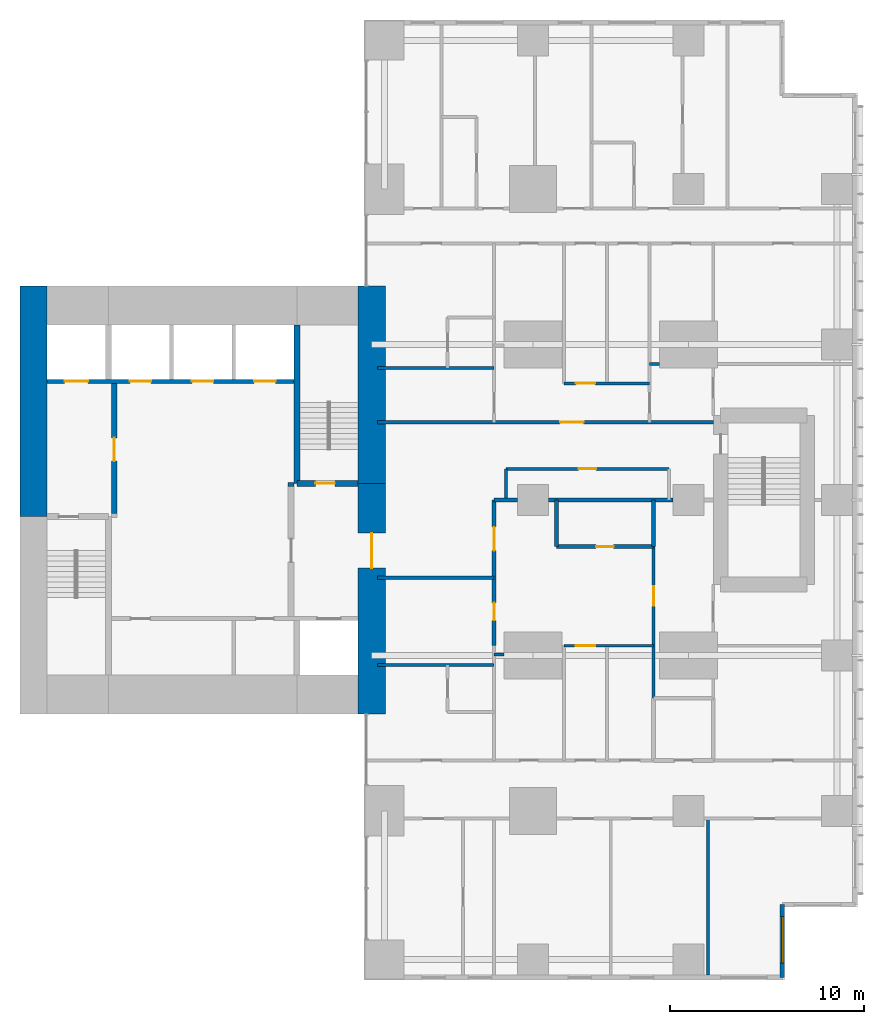
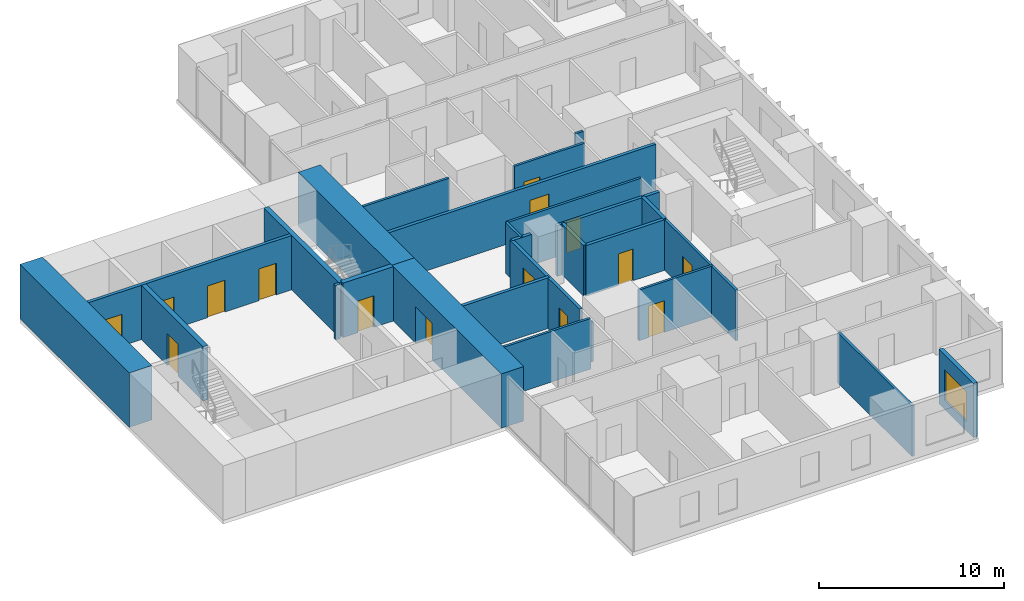
# One storey, part 8 of 12: 27 walls, 15 doors, 1 window, 16 openings.
"""IFC4 building model written with IfcOpenShell, lengths in metres."""

from ifc_helpers import new_model, si_unit, direction, frame, frame_2d, origin, place, context, subcontext, project, spatial, rectangle, extrude, material, layer, layer_set, type_object, element, fill, save


model = new_model("IFC4")

# Units and contexts
model_context = context("Model", 3, precision=1e-05, world=origin(), true_north=direction((0.0, 1.0)))
body_context = subcontext(model_context, "Body", "Model", "MODEL_VIEW")
ifc_project = project(units=[si_unit("LENGTHUNIT", "METRE"), si_unit("AREAUNIT", "SQUARE_METRE"), si_unit("VOLUMEUNIT", "CUBIC_METRE"), si_unit("PLANEANGLEUNIT", "RADIAN"), si_unit("MASSUNIT", "GRAM", prefix="KILO")], contexts=[model_context])

# Site, building, storey
site_placement = place(None, origin())
site = spatial("IfcSite", under=ifc_project, at=site_placement, CompositionType="ELEMENT")
building_placement = place(site_placement, origin())
building = spatial("IfcBuilding", under=site, at=building_placement, Name="Cleftline Residences", CompositionType="ELEMENT")
storey_placement = place(building_placement, frame((0.0, 0.0, 262.800048828125)))
storey = spatial("IfcBuildingStorey", under=building, at=storey_placement, Name="L69", CompositionType="ELEMENT", Elevation=262.800048828125)

# Wall
ifc_material_1 = material(Name="Concrete B70", Category="concrete")
ifc_layer_1 = layer(ifc_material_1, 1.39990234375)
ifc_layer_set_1 = layer_set([ifc_layer_1], Name="CORE WALL 1400")
wall_type_1 = type_object("IfcWallType", Name="CORE WALL 1400", PredefinedType="SHEAR", material=ifc_layer_set_1)
wall_1_placement = place(storey_placement, frame((24.300048828125, 23.14990234375, 0.0), z_axis=(0.0, 0.0, 1.0), x_axis=(0.0, 1.0, 0.0)))
element("IfcWall", 1, at=wall_1_placement, inside=storey, type_object=wall_type_1, Name="Core wall W", PredefinedType="SHEAR", context=body_context, shape_type="SweptSolid", body=[
    extrude(rectangle(XDim=11.85009765625, YDim=1.39990234375, at=frame_2d((5.925048828125, 0.0))), origin(), (0.0, 0.0, 1.0), 3.599853515625),
])

# Wall, opening, door
wall_2_placement = place(storey_placement, frame((41.699951171875, 13.0, 0.0), z_axis=(0.0, 0.0, 1.0), x_axis=(0.0, 1.0, 0.0)))
wall_2 = element("IfcWall", 2, at=wall_2_placement, inside=storey, type_object=wall_type_1, Name="Core wall E", PredefinedType="SHEAR", context=body_context, shape_type="SweptSolid", body=[
    extrude(rectangle(XDim=11.85009765625, YDim=1.39990234375, at=frame_2d((5.925048828125, 0.0))), origin(), (0.0, 0.0, 1.0), 3.599853515625),
])
opening_1_placement = place(wall_2_placement, frame((7.5, 0.0, 0.0)))
opening_1 = element("IfcOpeningElement", 3, at=opening_1_placement, cuts=wall_2, Name="Opening D7", PredefinedType="OPENING", context=body_context, shape_type="SweptSolid", body=[
    extrude(rectangle(XDim=1.800048828125, YDim=2.39990234375, at=frame_2d((0.89990234375, 1.199951171875))), frame((0.0, 0.7099609375, 0.0), z_axis=(0.0, -1.0, 0.0), x_axis=(1.0, 0.0, 0.0)), (0.0, 0.0, 1.0), 1.419921875),
])
ifc_material_2 = material(Name="Steel", Category="steel")
door_type_1 = type_object("IfcDoorType", Name="WING DOOR 1800X2400", OperationType="DOUBLE_DOOR_DOUBLE_SWING", PredefinedType="DOOR", material=ifc_material_2)
door_1_placement = place(opening_1_placement, origin())
door_1 = element("IfcDoor", 4, at=door_1_placement, inside=storey, type_object=door_type_1, Name="East wing door", OperationType="DOUBLE_DOOR_DOUBLE_SWING", OverallHeight=2.39990234375, OverallWidth=1.800048828125, PredefinedType="DOOR", context=body_context, shape_type="SweptSolid", body=[
    extrude(rectangle(XDim=1.800048828125, YDim=2.39990234375, at=frame_2d((0.89990234375, 1.199951171875))), frame((0.0, 0.02490234375, 0.0), z_axis=(0.0, -1.0, 0.0), x_axis=(1.0, 0.0, 0.0)), (0.0, 0.0, 1.0), 0.050048828125),
])
fill(opening_1, door_1)

# Walls
wall_3_placement = place(storey_placement, frame((41.699951171875, 24.85009765625, 0.0), z_axis=(0.0, 0.0, 1.0), x_axis=(0.0, 1.0, 0.0)))
element("IfcWall", 5, at=wall_3_placement, inside=storey, type_object=wall_type_1, Name="Core wall E1", PredefinedType="SHEAR", context=body_context, shape_type="SweptSolid", body=[
    extrude(rectangle(XDim=10.14990234375, YDim=1.39990234375, at=frame_2d((5.074951171875, 0.0))), origin(), (0.0, 0.0, 1.0), 3.599853515625),
])
ifc_material_3 = material(Name="Concrete B70", Category="concrete")
ifc_layer_2 = layer(ifc_material_3, 0.300048828125)
ifc_layer_set_2 = layer_set([ifc_layer_2], Name="CORE WALL 300")
wall_type_2 = type_object("IfcWallType", Name="CORE WALL 300", PredefinedType="SHEAR", material=ifc_layer_set_2)
wall_4_placement = place(storey_placement, frame((37.85009765625, 24.85009765625, 0.0), z_axis=(0.0, 0.0, 1.0), x_axis=(0.0, 1.0, 0.0)))
element("IfcWall", 6, at=wall_4_placement, inside=storey, type_object=wall_type_2, Name="Core wall SB-W", PredefinedType="SHEAR", context=body_context, shape_type="SweptSolid", body=[
    extrude(rectangle(XDim=8.14990234375, YDim=0.300048828125, at=frame_2d((4.074951171875, 0.0))), origin(), (0.0, 0.0, 1.0), 3.599853515625),
])

# Wall, opening, door
wall_5_placement = place(storey_placement, frame((37.85009765625, 24.85009765625, 0.0), z_axis=(0.0, 0.0, 1.0), x_axis=(1.0, 0.0, 0.0)))
wall_5 = element("IfcWall", 7, at=wall_5_placement, inside=storey, type_object=wall_type_2, Name="Core wall SB-S", PredefinedType="SHEAR", context=body_context, shape_type="SweptSolid", body=[
    extrude(rectangle(XDim=3.14990234375, YDim=0.300048828125, at=frame_2d((1.574951171875, 0.0))), origin(), (0.0, 0.0, 1.0), 3.599853515625),
])
opening_2_placement = place(wall_5_placement, frame((0.949951171875, 0.0, 0.0)))
opening_2 = element("IfcOpeningElement", 8, at=opening_2_placement, cuts=wall_5, Name="Opening D5", PredefinedType="OPENING", context=body_context, shape_type="SweptSolid", body=[
    extrude(rectangle(XDim=1.0, YDim=2.10009765625, at=frame_2d((0.5, 1.050048828125))), frame((0.0, 0.159912109375, 0.0), z_axis=(0.0, -1.0, 0.0), x_axis=(1.0, 0.0, 0.0)), (0.0, 0.0, 1.0), 0.320068359375),
])
ifc_material_4 = material(Name="Steel", Category="steel")
door_type_2 = type_object("IfcDoorType", Name="STAIR DOOR 1000X2100", OperationType="SINGLE_SWING_LEFT", PredefinedType="DOOR", material=ifc_material_4)
door_2_placement = place(opening_2_placement, origin())
door_2 = element("IfcDoor", 9, at=door_2_placement, inside=storey, type_object=door_type_2, Name="Stair B door", OperationType="SINGLE_SWING_RIGHT", OverallHeight=2.10009765625, OverallWidth=1.0, PredefinedType="DOOR", context=body_context, shape_type="SweptSolid", body=[
    extrude(rectangle(XDim=1.0, YDim=2.10009765625, at=frame_2d((0.5, 1.050048828125))), frame((0.0, 0.02490234375, 0.0), z_axis=(0.0, -1.0, 0.0), x_axis=(1.0, 0.0, 0.0)), (0.0, 0.0, 1.0), 0.050048828125),
])
fill(opening_2, door_2)

# Wall, opening, window
ifc_material_5 = material(Name="Rendered reinforced concrete blockwork", Category="masonry")
ifc_layer_3 = layer(ifc_material_5, 0.25)
ifc_layer_set_3 = layer_set([ifc_layer_3], Name="EXTERNAL WALL 250")
wall_type_3 = type_object("IfcWallType", Name="EXTERNAL WALL 250", PredefinedType="SOLIDWALL", material=ifc_layer_set_3)
wall_6_placement = place(storey_placement, frame((62.824951171875, -0.574951171875, 0.0), z_axis=(0.0, 0.0, 1.0), x_axis=(0.0, 1.0, 0.0)))
wall_6 = element("IfcWall", 10, at=wall_6_placement, inside=storey, type_object=wall_type_3, Name="External wall", PredefinedType="SOLIDWALL", context=body_context, shape_type="SweptSolid", body=[
    extrude(rectangle(XDim=3.75, YDim=0.25, at=frame_2d((1.875, 0.0))), origin(), (0.0, 0.0, 1.0), 3.599853515625),
])
opening_3_placement = place(wall_6_placement, frame((0.737548828125, 0.0, 0.60009765625)))
opening_3 = element("IfcOpeningElement", 11, at=opening_3_placement, cuts=wall_6, Name="Opening W6", PredefinedType="OPENING", context=body_context, shape_type="SweptSolid", body=[
    extrude(rectangle(XDim=2.39990234375, YDim=2.0, at=frame_2d((1.199951171875, 1.0))), frame((0.0, 0.135009765625, 0.0), z_axis=(0.0, -1.0, 0.0), x_axis=(1.0, 0.0, 0.0)), (0.0, 0.0, 1.0), 0.27001953125),
])
ifc_material_6 = material(Name="Aluminium frame, clear double glazing", Category="aluminium")
window_type = type_object("IfcWindowType", Name="WINDOW 2400X2000", PartitioningType="DOUBLE_PANEL_VERTICAL", PredefinedType="WINDOW", material=ifc_material_6)
window_placement = place(opening_3_placement, origin())
window = element("IfcWindow", 12, at=window_placement, inside=storey, type_object=window_type, Name="Window", OverallHeight=2.0, OverallWidth=2.39990234375, PartitioningType="SINGLE_PANEL", PredefinedType="WINDOW", context=body_context, shape_type="SweptSolid", body=[
    extrude(rectangle(XDim=2.39990234375, YDim=2.0, at=frame_2d((1.199951171875, 1.0))), frame((0.0, 0.030029296875, 0.0), z_axis=(0.0, -1.0, 0.0), x_axis=(1.0, 0.0, 0.0)), (0.0, 0.0, 1.0), 0.06005859375),
])
fill(opening_3, window)

# Wall
ifc_material_7 = material(Name="Concrete blockwork, fire rated", Category="masonry")
ifc_layer_4 = layer(ifc_material_7, 0.199951171875)
ifc_layer_set_4 = layer_set([ifc_layer_4], Name="FIRE WALL 200")
wall_type_4 = type_object("IfcWallType", Name="FIRE WALL 200", PredefinedType="PARTITIONING", material=ifc_layer_set_4)
wall_7_placement = place(storey_placement, frame((42.0, 20.0, 0.0), z_axis=(0.0, 0.0, 1.0), x_axis=(1.0, 0.0, 0.0)))
element("IfcWall", 13, at=wall_7_placement, inside=storey, type_object=wall_type_4, Name="Fire separating wall", PredefinedType="PARTITIONING", context=body_context, shape_type="SweptSolid", body=[
    extrude(rectangle(XDim=6.0, YDim=0.199951171875, at=frame_2d((3.0, 0.0))), origin(), (0.0, 0.0, 1.0), 3.349853515625),
])

# Wall, opening, door
wall_8_placement = place(storey_placement, frame((51.199951171875, 21.60009765625, 0.0), z_axis=(0.0, 0.0, 1.0), x_axis=(1.0, 0.0, 0.0)))
wall_8 = element("IfcWall", 14, at=wall_8_placement, inside=storey, type_object=wall_type_4, Name="Fire separating wall", PredefinedType="PARTITIONING", context=body_context, shape_type="SweptSolid", body=[
    extrude(rectangle(XDim=5.0, YDim=0.199951171875, at=frame_2d((2.5, 0.0))), origin(), (0.0, 0.0, 1.0), 3.349853515625),
])
opening_4_placement = place(wall_8_placement, frame((2.050048828125, 0.0, 0.0)))
opening_4 = element("IfcOpeningElement", 15, at=opening_4_placement, cuts=wall_8, Name="Opening D1F30", PredefinedType="OPENING", context=body_context, shape_type="SweptSolid", body=[
    extrude(rectangle(XDim=0.89990234375, YDim=2.10009765625, at=frame_2d((0.449951171875, 1.050048828125))), frame((0.0, 0.10986328125, 0.0), z_axis=(0.0, -1.0, 0.0), x_axis=(1.0, 0.0, 0.0)), (0.0, 0.0, 1.0), 0.219970703125),
])
ifc_material_8 = material(Name="Timber veneer on solid core", Category="wood")
door_type_3 = type_object("IfcDoorType", Name="DOOR 900X2100 EI 30", OperationType="SINGLE_SWING_LEFT", PredefinedType="DOOR", material=ifc_material_8)
door_3_placement = place(opening_4_placement, origin())
door_3 = element("IfcDoor", 16, at=door_3_placement, inside=storey, type_object=door_type_3, Name="Door to cloakroom wc", OperationType="SINGLE_SWING_LEFT", OverallHeight=2.10009765625, OverallWidth=0.89990234375, PredefinedType="DOOR", context=body_context, shape_type="SweptSolid", body=[
    extrude(rectangle(XDim=0.89990234375, YDim=2.10009765625, at=frame_2d((0.449951171875, 1.050048828125))), frame((0.0, 0.02490234375, 0.0), z_axis=(0.0, -1.0, 0.0), x_axis=(1.0, 0.0, 0.0)), (0.0, 0.0, 1.0), 0.050048828125),
])
fill(opening_4, door_3)

# Walls
wall_9_placement = place(storey_placement, frame((48.0, 24.0, 0.0), z_axis=(0.0, 0.0, 1.0), x_axis=(1.0, 0.0, 0.0)))
element("IfcWall", 17, at=wall_9_placement, inside=storey, type_object=wall_type_4, Name="Fire separating wall", PredefinedType="PARTITIONING", context=body_context, shape_type="SweptSolid", body=[
    extrude(rectangle(XDim=1.199951171875, YDim=0.199951171875, at=frame_2d((0.60009765625, 0.0))), origin(), (0.0, 0.0, 1.0), 3.349853515625),
])
wall_10_placement = place(storey_placement, frame((50.800048828125, 24.0, 0.0), z_axis=(0.0, 0.0, 1.0), x_axis=(1.0, 0.0, 0.0)))
element("IfcWall", 18, at=wall_10_placement, inside=storey, type_object=wall_type_4, Name="Fire separating wall", PredefinedType="PARTITIONING", context=body_context, shape_type="SweptSolid", body=[
    extrude(rectangle(XDim=6.39990234375, YDim=0.199951171875, at=frame_2d((3.199951171875, 0.0))), origin(), (0.0, 0.0, 1.0), 3.349853515625),
])

# Wall, opening, door
wall_11_placement = place(storey_placement, frame((42.0, 28.0, 0.0), z_axis=(0.0, 0.0, 1.0), x_axis=(1.0, 0.0, 0.0)))
wall_11 = element("IfcWall", 19, at=wall_11_placement, inside=storey, type_object=wall_type_4, Name="Fire separating wall", PredefinedType="PARTITIONING", context=body_context, shape_type="SweptSolid", body=[
    extrude(rectangle(XDim=17.27490234375, YDim=0.199951171875, at=frame_2d((8.637451171875, 0.0))), origin(), (0.0, 0.0, 1.0), 3.349853515625),
])
opening_5_placement = place(wall_11_placement, frame((9.39990234375, 0.0, 0.0)))
opening_5 = element("IfcOpeningElement", 20, at=opening_5_placement, cuts=wall_11, Name="Opening D4", PredefinedType="OPENING", context=body_context, shape_type="SweptSolid", body=[
    extrude(rectangle(XDim=1.199951171875, YDim=2.39990234375, at=frame_2d((0.60009765625, 1.199951171875))), frame((0.0, 0.10986328125, 0.0), z_axis=(0.0, -1.0, 0.0), x_axis=(1.0, 0.0, 0.0)), (0.0, 0.0, 1.0), 0.219970703125),
])
ifc_material_9 = material(Name="Timber veneer on solid core", Category="wood")
door_type_4 = type_object("IfcDoorType", Name="APARTMENT ENTRANCE DOOR 1200X2400", OperationType="SINGLE_SWING_RIGHT", PredefinedType="DOOR", material=ifc_material_9)
door_4_placement = place(opening_5_placement, origin())
door_4 = element("IfcDoor", 21, at=door_4_placement, inside=storey, type_object=door_type_4, Name="Door to residence entrance (gallery)", OperationType="SINGLE_SWING_LEFT", OverallHeight=2.39990234375, OverallWidth=1.199951171875, PredefinedType="DOOR", context=body_context, shape_type="SweptSolid", body=[
    extrude(rectangle(XDim=1.199951171875, YDim=2.39990234375, at=frame_2d((0.60009765625, 1.199951171875))), frame((0.0, 0.02490234375, 0.0), z_axis=(0.0, -1.0, 0.0), x_axis=(1.0, 0.0, 0.0)), (0.0, 0.0, 1.0), 0.050048828125),
])
fill(opening_5, door_4)

# Wall, openings, doors
wall_12_placement = place(storey_placement, frame((48.0, 16.5, 0.0), z_axis=(0.0, 0.0, 1.0), x_axis=(0.0, 1.0, 0.0)))
wall_12 = element("IfcWall", 22, at=wall_12_placement, inside=storey, type_object=wall_type_4, Name="Fire separating wall", PredefinedType="PARTITIONING", context=body_context, shape_type="SweptSolid", body=[
    extrude(rectangle(XDim=7.5, YDim=0.199951171875, at=frame_2d((3.75, 0.0))), origin(), (0.0, 0.0, 1.0), 3.349853515625),
])
opening_6_placement = place(wall_12_placement, frame((4.89990234375, 0.0, 0.0)))
opening_6 = element("IfcOpeningElement", 23, at=opening_6_placement, cuts=wall_12, Name="Opening D4", PredefinedType="OPENING", context=body_context, shape_type="SweptSolid", body=[
    extrude(rectangle(XDim=1.199951171875, YDim=2.39990234375, at=frame_2d((0.60009765625, 1.199951171875))), frame((0.0, 0.10986328125, 0.0), z_axis=(0.0, -1.0, 0.0), x_axis=(1.0, 0.0, 0.0)), (0.0, 0.0, 1.0), 0.219970703125),
])
opening_7_placement = place(wall_12_placement, frame((1.300048828125, 0.0, 0.0)))
opening_7 = element("IfcOpeningElement", 24, at=opening_7_placement, cuts=wall_12, Name="Opening D1F30", PredefinedType="OPENING", context=body_context, shape_type="SweptSolid", body=[
    extrude(rectangle(XDim=0.89990234375, YDim=2.10009765625, at=frame_2d((0.449951171875, 1.050048828125))), frame((0.0, 0.10986328125, 0.0), z_axis=(0.0, -1.0, 0.0), x_axis=(1.0, 0.0, 0.0)), (0.0, 0.0, 1.0), 0.219970703125),
])
door_5_placement = place(opening_6_placement, origin())
door_5 = element("IfcDoor", 25, at=door_5_placement, inside=storey, type_object=door_type_4, Name="Door to residence entrance foyer", OperationType="SINGLE_SWING_LEFT", OverallHeight=2.39990234375, OverallWidth=1.199951171875, PredefinedType="DOOR", context=body_context, shape_type="SweptSolid", body=[
    extrude(rectangle(XDim=1.199951171875, YDim=2.39990234375, at=frame_2d((0.60009765625, 1.199951171875))), frame((0.0, 0.02490234375, 0.0), z_axis=(0.0, -1.0, 0.0), x_axis=(1.0, 0.0, 0.0)), (0.0, 0.0, 1.0), 0.050048828125),
])
fill(opening_6, door_5)
door_6_placement = place(opening_7_placement, origin())
door_6 = element("IfcDoor", 26, at=door_6_placement, inside=storey, type_object=door_type_3, Name="Door to laundry", OperationType="SINGLE_SWING_RIGHT", OverallHeight=2.10009765625, OverallWidth=0.89990234375, PredefinedType="DOOR", context=body_context, shape_type="SweptSolid", body=[
    extrude(rectangle(XDim=0.89990234375, YDim=2.10009765625, at=frame_2d((0.449951171875, 1.050048828125))), frame((0.0, 0.02490234375, 0.0), z_axis=(0.0, -1.0, 0.0), x_axis=(1.0, 0.0, 0.0)), (0.0, 0.0, 1.0), 0.050048828125),
])
fill(opening_7, door_6)

# Walls
for number, where, z_axis, x_axis, name in (
    (27, (51.199951171875, 21.60009765625, 0.0), (0.0, 0.0, 1.0), (0.0, 1.0, 0.0), "Fire separating wall"),
    (28, (56.199951171875, 21.60009765625, 0.0), (0.0, 0.0, 1.0), (0.0, 1.0, 0.0), "Fire separating wall"),
):
    element("IfcWall", number, at=place(storey_placement, frame(where, z_axis=z_axis, x_axis=x_axis)), inside=storey, type_object=wall_type_4, Name=name, PredefinedType="PARTITIONING", context=body_context, shape_type="SweptSolid", body=[
        extrude(rectangle(XDim=2.39990234375, YDim=0.199951171875, at=frame_2d((1.199951171875, 0.0))), origin(), (0.0, 0.0, 1.0), 3.349853515625),
    ])
wall_13_placement = place(storey_placement, frame((37.39990234375, 24.800048828125, 0.0), z_axis=(0.0, 0.0, 1.0), x_axis=(1.0, 0.0, 0.0)))
element("IfcWall", 29, at=wall_13_placement, inside=storey, type_object=wall_type_4, Name="Fire separating wall", PredefinedType="PARTITIONING", context=body_context, shape_type="SweptSolid", body=[
    extrude(rectangle(XDim=0.300048828125, YDim=0.199951171875, at=frame_2d((0.14990234375, 0.0))), origin(), (0.0, 0.0, 1.0), 3.599853515625),
])
ifc_material_10 = material(Name="Gypsum board on steel studs", Category="steel")
ifc_layer_5 = layer(ifc_material_10, 0.14990234375)
ifc_layer_set_5 = layer_set([ifc_layer_5], Name="PARTITION 150")
wall_type_5 = type_object("IfcWallType", Name="PARTITION 150", PredefinedType="PARTITIONING", material=ifc_layer_set_5)
wall_14_placement = place(storey_placement, frame((42.0, 15.5, 0.0), z_axis=(0.0, 0.0, 1.0), x_axis=(1.0, 0.0, 0.0)))
element("IfcWall", 30, at=wall_14_placement, inside=storey, type_object=wall_type_5, Name="Partition", PredefinedType="PARTITIONING", context=body_context, shape_type="SweptSolid", body=[
    extrude(rectangle(XDim=6.0, YDim=0.14990234375, at=frame_2d((3.0, 0.0))), origin(), (0.0, 0.0, 1.0), 3.349853515625),
])
wall_15_placement = place(storey_placement, frame((48.0, 16.050048828125, 0.0), z_axis=(0.0, 0.0, 1.0), x_axis=(1.0, 0.0, 0.0)))
element("IfcWall", 31, at=wall_15_placement, inside=storey, type_object=wall_type_5, Name="Partition", PredefinedType="PARTITIONING", context=body_context, shape_type="SweptSolid", body=[
    extrude(rectangle(XDim=0.5, YDim=0.14990234375, at=frame_2d((0.25, 0.0))), origin(), (0.0, 0.0, 1.0), 2.634033203125),
])

# Wall, opening, door
wall_16_placement = place(storey_placement, frame((51.60009765625, 16.5, 0.0), z_axis=(0.0, 0.0, 1.0), x_axis=(1.0, 0.0, 0.0)))
wall_16 = element("IfcWall", 32, at=wall_16_placement, inside=storey, type_object=wall_type_5, Name="Partition", PredefinedType="PARTITIONING", context=body_context, shape_type="SweptSolid", body=[
    extrude(rectangle(XDim=4.599853515625, YDim=0.14990234375, at=frame_2d((2.2998046875, 0.0))), origin(), (0.0, 0.0, 1.0), 3.349853515625),
])
opening_8_placement = place(wall_16_placement, frame((0.60009765625, 0.0, 0.0)))
opening_8 = element("IfcOpeningElement", 33, at=opening_8_placement, cuts=wall_16, Name="Opening D2", PredefinedType="OPENING", context=body_context, shape_type="SweptSolid", body=[
    extrude(rectangle(XDim=1.0, YDim=2.10009765625, at=frame_2d((0.5, 1.050048828125))), frame((0.0, 0.0849609375, 0.0), z_axis=(0.0, -1.0, 0.0), x_axis=(1.0, 0.0, 0.0)), (0.0, 0.0, 1.0), 0.169921875),
])
ifc_material_11 = material(Name="Timber veneer on solid core", Category="wood")
door_type_5 = type_object("IfcDoorType", Name="DOOR 1000X2100", OperationType="SINGLE_SWING_LEFT", PredefinedType="DOOR", material=ifc_material_11)
door_7_placement = place(opening_8_placement, origin())
door_7 = element("IfcDoor", 34, at=door_7_placement, inside=storey, type_object=door_type_5, Name="Door to residence passage", OperationType="SINGLE_SWING_RIGHT", OverallHeight=2.10009765625, OverallWidth=1.0, PredefinedType="DOOR", context=body_context, shape_type="SweptSolid", body=[
    extrude(rectangle(XDim=1.0, YDim=2.10009765625, at=frame_2d((0.5, 1.050048828125))), frame((0.0, 0.02490234375, 0.0), z_axis=(0.0, -1.0, 0.0), x_axis=(1.0, 0.0, 0.0)), (0.0, 0.0, 1.0), 0.050048828125),
])
fill(opening_8, door_7)

wall_17_placement = place(storey_placement, frame((48.60009765625, 25.60009765625, 0.0), z_axis=(0.0, 0.0, 1.0), x_axis=(1.0, 0.0, 0.0)))
wall_17 = element("IfcWall", 35, at=wall_17_placement, inside=storey, type_object=wall_type_5, Name="Partition", PredefinedType="PARTITIONING", context=body_context, shape_type="SweptSolid", body=[
    extrude(rectangle(XDim=8.39990234375, YDim=0.14990234375, at=frame_2d((4.199951171875, 0.0))), origin(), (0.0, 0.0, 1.0), 3.349853515625),
])
opening_9_placement = place(wall_17_placement, frame((3.75, 0.0, 0.0)))
opening_9 = element("IfcOpeningElement", 36, at=opening_9_placement, cuts=wall_17, Name="Opening D1", PredefinedType="OPENING", context=body_context, shape_type="SweptSolid", body=[
    extrude(rectangle(XDim=0.89990234375, YDim=2.10009765625, at=frame_2d((0.449951171875, 1.050048828125))), frame((0.0, 0.0849609375, 0.0), z_axis=(0.0, -1.0, 0.0), x_axis=(1.0, 0.0, 0.0)), (0.0, 0.0, 1.0), 0.169921875),
])
ifc_material_12 = material(Name="Timber veneer on solid core", Category="wood")
door_type_6 = type_object("IfcDoorType", Name="DOOR 900X2100", OperationType="SINGLE_SWING_LEFT", PredefinedType="DOOR", material=ifc_material_12)
door_8_placement = place(opening_9_placement, origin())
door_8 = element("IfcDoor", 37, at=door_8_placement, inside=storey, type_object=door_type_6, Name="Door to residents' locker room", OperationType="SINGLE_SWING_LEFT", OverallHeight=2.10009765625, OverallWidth=0.89990234375, PredefinedType="DOOR", context=body_context, shape_type="SweptSolid", body=[
    extrude(rectangle(XDim=0.89990234375, YDim=2.10009765625, at=frame_2d((0.449951171875, 1.050048828125))), frame((0.0, 0.02490234375, 0.0), z_axis=(0.0, -1.0, 0.0), x_axis=(1.0, 0.0, 0.0)), (0.0, 0.0, 1.0), 0.050048828125),
])
fill(opening_9, door_8)

wall_18_placement = place(storey_placement, frame((51.60009765625, 30.0, 0.0), z_axis=(0.0, 0.0, 1.0), x_axis=(1.0, 0.0, 0.0)))
wall_18 = element("IfcWall", 38, at=wall_18_placement, inside=storey, type_object=wall_type_5, Name="Partition", PredefinedType="PARTITIONING", context=body_context, shape_type="SweptSolid", body=[
    extrude(rectangle(XDim=4.39990234375, YDim=0.14990234375, at=frame_2d((2.199951171875, 0.0))), origin(), (0.0, 0.0, 1.0), 3.349853515625),
])
opening_10_placement = place(wall_18_placement, frame((0.60009765625, 0.0, 0.0)))
opening_10 = element("IfcOpeningElement", 39, at=opening_10_placement, cuts=wall_18, Name="Opening D2", PredefinedType="OPENING", context=body_context, shape_type="SweptSolid", body=[
    extrude(rectangle(XDim=1.0, YDim=2.10009765625, at=frame_2d((0.5, 1.050048828125))), frame((0.0, 0.0849609375, 0.0), z_axis=(0.0, -1.0, 0.0), x_axis=(1.0, 0.0, 0.0)), (0.0, 0.0, 1.0), 0.169921875),
])
door_9_placement = place(opening_10_placement, origin())
door_9 = element("IfcDoor", 40, at=door_9_placement, inside=storey, type_object=door_type_5, Name="Door to residence passage", OperationType="SINGLE_SWING_RIGHT", OverallHeight=2.10009765625, OverallWidth=1.0, PredefinedType="DOOR", context=body_context, shape_type="SweptSolid", body=[
    extrude(rectangle(XDim=1.0, YDim=2.10009765625, at=frame_2d((0.5, 1.050048828125))), frame((0.0, 0.02490234375, 0.0), z_axis=(0.0, -1.0, 0.0), x_axis=(1.0, 0.0, 0.0)), (0.0, 0.0, 1.0), 0.050048828125),
])
fill(opening_10, door_9)

# Walls
wall_19_placement = place(storey_placement, frame((42.0, 30.800048828125, 0.0), z_axis=(0.0, 0.0, 1.0), x_axis=(1.0, 0.0, 0.0)))
element("IfcWall", 41, at=wall_19_placement, inside=storey, type_object=wall_type_5, Name="Partition", PredefinedType="PARTITIONING", context=body_context, shape_type="SweptSolid", body=[
    extrude(rectangle(XDim=6.0, YDim=0.14990234375, at=frame_2d((3.0, 0.0))), origin(), (0.0, 0.0, 1.0), 3.349853515625),
])
wall_20_placement = place(storey_placement, frame((56.0, 31.0, 0.0), z_axis=(0.0, 0.0, 1.0), x_axis=(1.0, 0.0, 0.0)))
element("IfcWall", 42, at=wall_20_placement, inside=storey, type_object=wall_type_5, Name="Partition", PredefinedType="PARTITIONING", context=body_context, shape_type="SweptSolid", body=[
    extrude(rectangle(XDim=0.5, YDim=0.14990234375, at=frame_2d((0.25, 0.0))), origin(), (0.0, 0.0, 1.0), 3.349853515625),
])
wall_21_placement = place(storey_placement, frame((48.60009765625, 24.0, 0.0), z_axis=(0.0, 0.0, 1.0), x_axis=(0.0, 1.0, 0.0)))
element("IfcWall", 43, at=wall_21_placement, inside=storey, type_object=wall_type_5, Name="Partition", PredefinedType="PARTITIONING", context=body_context, shape_type="SweptSolid", body=[
    extrude(rectangle(XDim=1.60009765625, YDim=0.14990234375, at=frame_2d((0.800048828125, 0.0))), origin(), (0.0, 0.0, 1.0), 3.349853515625),
])

# Wall, opening, door
wall_22_placement = place(storey_placement, frame((56.199951171875, 13.800048828125, 0.0), z_axis=(0.0, 0.0, 1.0), x_axis=(0.0, 1.0, 0.0)))
wall_22 = element("IfcWall", 44, at=wall_22_placement, inside=storey, type_object=wall_type_5, Name="Partition", PredefinedType="PARTITIONING", context=body_context, shape_type="SweptSolid", body=[
    extrude(rectangle(XDim=7.800048828125, YDim=0.14990234375, at=frame_2d((3.89990234375, 0.0))), origin(), (0.0, 0.0, 1.0), 3.349853515625),
])
opening_11_placement = place(wall_22_placement, frame((4.75, 0.0, 0.0)))
opening_11 = element("IfcOpeningElement", 45, at=opening_11_placement, cuts=wall_22, Name="Opening D2F30", PredefinedType="OPENING", context=body_context, shape_type="SweptSolid", body=[
    extrude(rectangle(XDim=1.0, YDim=2.10009765625, at=frame_2d((0.5, 1.050048828125))), frame((0.0, 0.0849609375, 0.0), z_axis=(0.0, -1.0, 0.0), x_axis=(1.0, 0.0, 0.0)), (0.0, 0.0, 1.0), 0.169921875),
])
ifc_material_13 = material(Name="Timber veneer on solid core", Category="wood")
door_type_7 = type_object("IfcDoorType", Name="DOOR 1000X2100 EI 30", OperationType="SINGLE_SWING_LEFT", PredefinedType="DOOR", material=ifc_material_13)
door_10_placement = place(opening_11_placement, origin())
door_10 = element("IfcDoor", 46, at=door_10_placement, inside=storey, type_object=door_type_7, Name="Door to residence lobby", OperationType="SINGLE_SWING_LEFT", OverallHeight=2.10009765625, OverallWidth=1.0, PredefinedType="DOOR", context=body_context, shape_type="SweptSolid", body=[
    extrude(rectangle(XDim=1.0, YDim=2.10009765625, at=frame_2d((0.5, 1.050048828125))), frame((0.0, 0.02490234375, 0.0), z_axis=(0.0, -1.0, 0.0), x_axis=(1.0, 0.0, 0.0)), (0.0, 0.0, 1.0), 0.050048828125),
])
fill(opening_11, door_10)

# Wall
wall_23_placement = place(storey_placement, frame((59.0, -0.449951171875, 0.0), z_axis=(0.0, 0.0, 1.0), x_axis=(0.0, 1.0, 0.0)))
element("IfcWall", 47, at=wall_23_placement, inside=storey, type_object=wall_type_5, Name="Partition", PredefinedType="PARTITIONING", context=body_context, shape_type="SweptSolid", body=[
    extrude(rectangle(XDim=8.050048828125, YDim=0.14990234375, at=frame_2d((4.02490234375, 0.0))), origin(), (0.0, 0.0, 1.0), 3.349853515625),
])

# Wall, openings, doors
ifc_material_14 = material(Name="Concrete blockwork, fire rated", Category="masonry")
ifc_layer_6 = layer(ifc_material_14, 0.199951171875)
ifc_layer_set_6 = layer_set([ifc_layer_6], Name="SHAFT WALL 200")
wall_type_6 = type_object("IfcWallType", Name="SHAFT WALL 200", PredefinedType="PARTITIONING", material=ifc_layer_set_6)
wall_24_placement = place(storey_placement, frame((25.0, 30.10009765625, 0.0), z_axis=(0.0, 0.0, 1.0), x_axis=(1.0, 0.0, 0.0)))
wall_24 = element("IfcWall", 48, at=wall_24_placement, inside=storey, type_object=wall_type_6, Name="Lift shaft wall", PredefinedType="PARTITIONING", context=body_context, shape_type="SweptSolid", body=[
    extrude(rectangle(XDim=12.699951171875, YDim=0.199951171875, at=frame_2d((6.35009765625, 0.0))), origin(), (0.0, 0.0, 1.0), 3.599853515625),
])
opening_12_placement = place(wall_24_placement, frame((4.25, 0.0, 0.0)))
opening_12 = element("IfcOpeningElement", 49, at=opening_12_placement, cuts=wall_24, Name="Opening LD1", PredefinedType="OPENING", context=body_context, shape_type="SweptSolid", body=[
    extrude(rectangle(XDim=1.10009765625, YDim=2.10009765625, at=frame_2d((0.550048828125, 1.050048828125))), frame((0.0, 0.10986328125, 0.0), z_axis=(0.0, -1.0, 0.0), x_axis=(1.0, 0.0, 0.0)), (0.0, 0.0, 1.0), 0.219970703125),
])
opening_13_placement = place(wall_24_placement, frame((7.449951171875, 0.0, 0.0)))
opening_13 = element("IfcOpeningElement", 50, at=opening_13_placement, cuts=wall_24, Name="Opening LD1", PredefinedType="OPENING", context=body_context, shape_type="SweptSolid", body=[
    extrude(rectangle(XDim=1.10009765625, YDim=2.10009765625, at=frame_2d((0.550048828125, 1.050048828125))), frame((0.0, 0.10986328125, 0.0), z_axis=(0.0, -1.0, 0.0), x_axis=(1.0, 0.0, 0.0)), (0.0, 0.0, 1.0), 0.219970703125),
])
opening_14_placement = place(wall_24_placement, frame((10.64990234375, 0.0, 0.0)))
opening_14 = element("IfcOpeningElement", 51, at=opening_14_placement, cuts=wall_24, Name="Opening LD1", PredefinedType="OPENING", context=body_context, shape_type="SweptSolid", body=[
    extrude(rectangle(XDim=1.10009765625, YDim=2.10009765625, at=frame_2d((0.550048828125, 1.050048828125))), frame((0.0, 0.10986328125, 0.0), z_axis=(0.0, -1.0, 0.0), x_axis=(1.0, 0.0, 0.0)), (0.0, 0.0, 1.0), 0.219970703125),
])
opening_15_placement = place(wall_24_placement, frame((0.89990234375, 0.0, 0.0)))
opening_15 = element("IfcOpeningElement", 52, at=opening_15_placement, cuts=wall_24, Name="Opening LD2", PredefinedType="OPENING", context=body_context, shape_type="SweptSolid", body=[
    extrude(rectangle(XDim=1.199951171875, YDim=2.10009765625, at=frame_2d((0.60009765625, 1.050048828125))), frame((0.0, 0.10986328125, 0.0), z_axis=(0.0, -1.0, 0.0), x_axis=(1.0, 0.0, 0.0)), (0.0, 0.0, 1.0), 0.219970703125),
])
ifc_material_15 = material(Name="Steel", Category="steel")
door_type_8 = type_object("IfcDoorType", Name="FIREFIGHTING LIFT LANDING DOOR 1200X2100", OperationType="SLIDING_TO_LEFT", PredefinedType="DOOR", material=ifc_material_15)
door_11_placement = place(opening_15_placement, origin())
door_11 = element("IfcDoor", 53, at=door_11_placement, inside=storey, type_object=door_type_8, Name="Lift FL1 landing door", OperationType="SLIDING_TO_LEFT", OverallHeight=2.10009765625, OverallWidth=1.199951171875, PredefinedType="DOOR", context=body_context, shape_type="SweptSolid", body=[
    extrude(rectangle(XDim=1.199951171875, YDim=2.10009765625, at=frame_2d((0.60009765625, 1.050048828125))), frame((0.0, 0.02490234375, 0.0), z_axis=(0.0, -1.0, 0.0), x_axis=(1.0, 0.0, 0.0)), (0.0, 0.0, 1.0), 0.050048828125),
])
fill(opening_15, door_11)
ifc_material_16 = material(Name="Steel", Category="steel")
door_type_9 = type_object("IfcDoorType", Name="LIFT LANDING DOOR 1100X2100", OperationType="SLIDING_TO_LEFT", PredefinedType="DOOR", material=ifc_material_16)
door_12_placement = place(opening_12_placement, origin())
door_12 = element("IfcDoor", 54, at=door_12_placement, inside=storey, type_object=door_type_9, Name="Lift P4 landing door", OperationType="SLIDING_TO_LEFT", OverallHeight=2.10009765625, OverallWidth=1.10009765625, PredefinedType="DOOR", context=body_context, shape_type="SweptSolid", body=[
    extrude(rectangle(XDim=1.10009765625, YDim=2.10009765625, at=frame_2d((0.550048828125, 1.050048828125))), frame((0.0, 0.02490234375, 0.0), z_axis=(0.0, -1.0, 0.0), x_axis=(1.0, 0.0, 0.0)), (0.0, 0.0, 1.0), 0.050048828125),
])
fill(opening_12, door_12)
door_13_placement = place(opening_13_placement, origin())
door_13 = element("IfcDoor", 55, at=door_13_placement, inside=storey, type_object=door_type_9, Name="Lift P5 landing door", OperationType="SLIDING_TO_LEFT", OverallHeight=2.10009765625, OverallWidth=1.10009765625, PredefinedType="DOOR", context=body_context, shape_type="SweptSolid", body=[
    extrude(rectangle(XDim=1.10009765625, YDim=2.10009765625, at=frame_2d((0.550048828125, 1.050048828125))), frame((0.0, 0.02490234375, 0.0), z_axis=(0.0, -1.0, 0.0), x_axis=(1.0, 0.0, 0.0)), (0.0, 0.0, 1.0), 0.050048828125),
])
fill(opening_13, door_13)
door_14_placement = place(opening_14_placement, origin())
door_14 = element("IfcDoor", 56, at=door_14_placement, inside=storey, type_object=door_type_9, Name="Lift P6 landing door", OperationType="SLIDING_TO_LEFT", OverallHeight=2.10009765625, OverallWidth=1.10009765625, PredefinedType="DOOR", context=body_context, shape_type="SweptSolid", body=[
    extrude(rectangle(XDim=1.10009765625, YDim=2.10009765625, at=frame_2d((0.550048828125, 1.050048828125))), frame((0.0, 0.02490234375, 0.0), z_axis=(0.0, -1.0, 0.0), x_axis=(1.0, 0.0, 0.0)), (0.0, 0.0, 1.0), 0.050048828125),
])
fill(opening_14, door_14)

# Wall, opening, door
ifc_material_17 = material(Name="Concrete blockwork, fire rated", Category="masonry")
ifc_layer_7 = layer(ifc_material_17, 0.300048828125)
ifc_layer_set_7 = layer_set([ifc_layer_7], Name="STAIR LOBBY WALL 300")
wall_type_7 = type_object("IfcWallType", Name="STAIR LOBBY WALL 300", PredefinedType="PARTITIONING", material=ifc_layer_set_7)
wall_25_placement = place(storey_placement, frame((28.449951171875, 23.300048828125, 0.0), z_axis=(0.0, 0.0, 1.0), x_axis=(0.0, 1.0, 0.0)))
wall_25 = element("IfcWall", 57, at=wall_25_placement, inside=storey, type_object=wall_type_7, Name="Stair and lobby wall FA-E", PredefinedType="PARTITIONING", context=body_context, shape_type="SweptSolid", body=[
    extrude(rectangle(XDim=6.699951171875, YDim=0.300048828125, at=frame_2d((3.35009765625, 0.0))), origin(), (0.0, 0.0, 1.0), 3.599853515625),
])
opening_16_placement = place(wall_25_placement, frame((2.699951171875, 0.0, 0.0)))
opening_16 = element("IfcOpeningElement", 58, at=opening_16_placement, cuts=wall_25, Name="Opening D6", PredefinedType="OPENING", context=body_context, shape_type="SweptSolid", body=[
    extrude(rectangle(XDim=1.199951171875, YDim=2.10009765625, at=frame_2d((0.60009765625, 1.050048828125))), frame((0.0, 0.159912109375, 0.0), z_axis=(0.0, -1.0, 0.0), x_axis=(1.0, 0.0, 0.0)), (0.0, 0.0, 1.0), 0.320068359375),
])
ifc_material_18 = material(Name="Steel", Category="steel")
door_type_10 = type_object("IfcDoorType", Name="LOBBY DOOR 1200X2100", OperationType="SINGLE_SWING_RIGHT", PredefinedType="DOOR", material=ifc_material_18)
door_15_placement = place(opening_16_placement, origin())
door_15 = element("IfcDoor", 59, at=door_15_placement, inside=storey, type_object=door_type_10, Name="Firefighting lobby A door", OperationType="SINGLE_SWING_RIGHT", OverallHeight=2.10009765625, OverallWidth=1.199951171875, PredefinedType="DOOR", context=body_context, shape_type="SweptSolid", body=[
    extrude(rectangle(XDim=1.199951171875, YDim=2.10009765625, at=frame_2d((0.60009765625, 1.050048828125))), frame((0.0, 0.02490234375, 0.0), z_axis=(0.0, -1.0, 0.0), x_axis=(1.0, 0.0, 0.0)), (0.0, 0.0, 1.0), 0.050048828125),
])
fill(opening_16, door_15)

save(model, "model.ifc")
